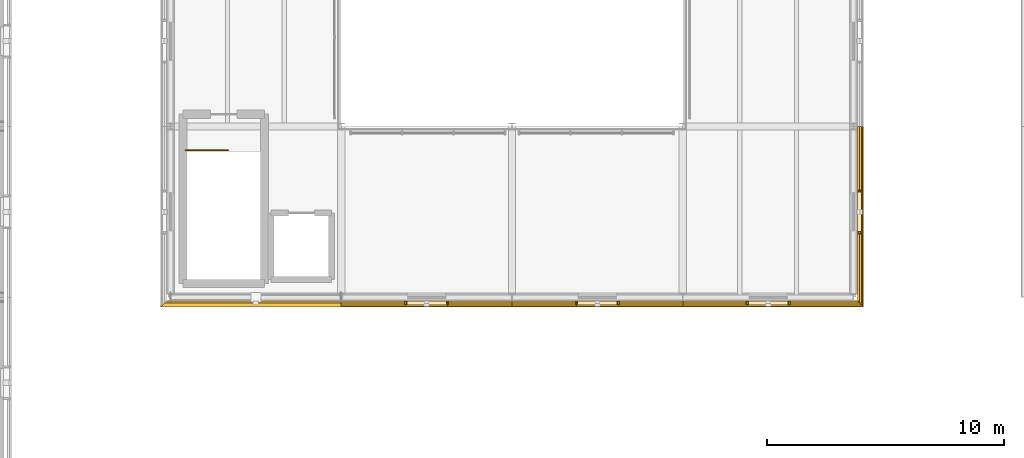
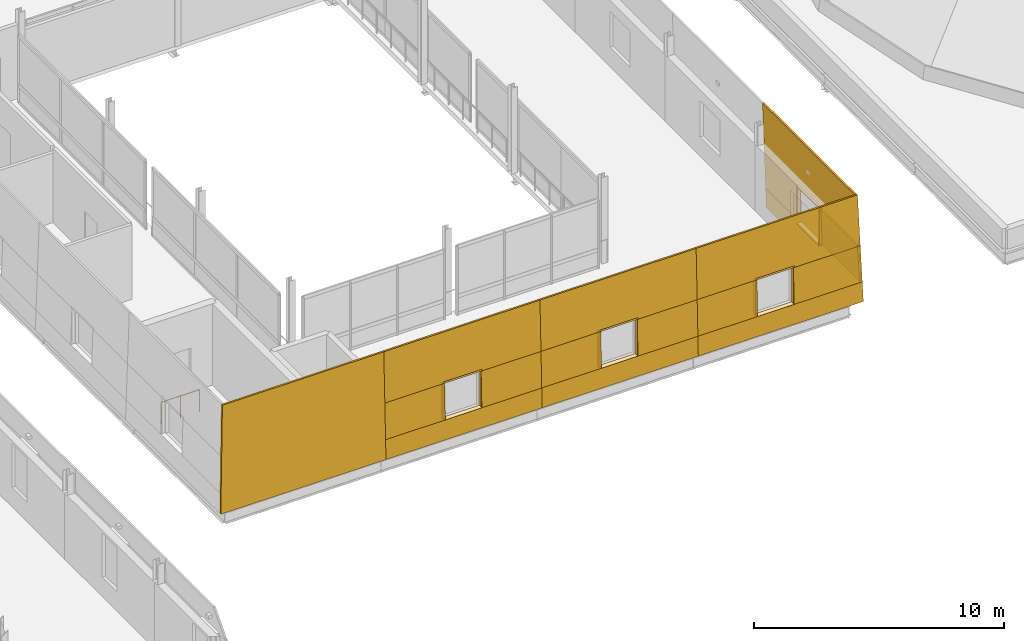
# One storey, part 59 of 66: 33 coverings, 1 railing.
"""IFC4 building model written with IfcOpenShell, lengths in metres."""

import ifcopenshell
import ifcopenshell.guid

model = None  # the IFC model being written
_history = None  # IfcOwnerHistory: only IFC2X3 demands one
_inside = {}  # id of a spatial element -> (the spatial element, [elements in it])
_under = {}  # id of a project, library or spatial element -> (it, [spatial elements below it])
_declared = {}  # id of a project -> (the project, [libraries it declares])
_typed = {}  # id of a type object -> (the type object, [elements of that type])
_made_of = {}  # id of a material, layer set ... -> (it, [elements and type objects made of it])


def new_model(schema):
    """Start an empty IFC model of exactly this schema.

    Asked for "IFC4X3", IfcOpenShell would pick the latest addendum, in which some entities
    have other attributes; the version numbers below select the first issue.
    IFC2X3 requires an IfcOwnerHistory on every rooted entity: one is made here for all.
    """
    global model, _history
    if schema == "IFC4X3":
        model = ifcopenshell.file(schema_version=(4, 3, 0, 0))
    else:
        model = ifcopenshell.file(schema=schema)
    _inside.clear()
    _under.clear()
    _declared.clear()
    _typed.clear()
    _made_of.clear()
    _history = None
    if model.schema == "IFC2X3":
        org = make("IfcOrganization", Name="unknown")
        user = make(
            "IfcPersonAndOrganization",
            ThePerson=make("IfcPerson", FamilyName="unknown"),
            TheOrganization=org,
        )
        app = make(
            "IfcApplication",
            ApplicationDeveloper=org,
            Version="unknown",
            ApplicationFullName="unknown",
            ApplicationIdentifier="unknown",
        )
        _history = make(
            "IfcOwnerHistory",
            OwningUser=user,
            OwningApplication=app,
            ChangeAction="ADDED",
            CreationDate=0,
        )
    return model


def make(cls, **values):
    """One entity of the class cls with the attributes given. An attribute that is None is left unset."""
    return model.create_entity(
        cls, **{name: value for name, value in values.items() if value is not None}
    )


def rooted(cls, **values):
    """An entity with a GlobalId (a new one), such as an element, a storey or a relation."""
    return make(cls, GlobalId=ifcopenshell.guid.new(), OwnerHistory=_history, **values)


def si_unit(unit_type, name, prefix=None):
    """IfcSIUnit, for example si_unit("LENGTHUNIT", "METRE", prefix="MILLI")."""
    return make("IfcSIUnit", UnitType=unit_type, Prefix=prefix, Name=name)


def assignment(units):
    """IfcUnitAssignment: the units of a project."""
    return None if units is None else make("IfcUnitAssignment", Units=units)


def point(xyz):
    """IfcCartesianPoint."""
    return None if xyz is None else make("IfcCartesianPoint", Coordinates=xyz)


def direction(xyz):
    """IfcDirection."""
    return None if xyz is None else make("IfcDirection", DirectionRatios=xyz)


def frame(location, z_axis=None, x_axis=None):
    """IfcAxis2Placement3D, a coordinate frame: its origin and axes. An axis left out is left unset."""
    return make(
        "IfcAxis2Placement3D",
        Location=point(location),
        Axis=direction(z_axis),
        RefDirection=direction(x_axis),
    )


def frame_2d(location, x_axis=None):
    """IfcAxis2Placement2D, a coordinate frame in the plane: its origin and x axis."""
    return make(
        "IfcAxis2Placement2D", Location=point(location), RefDirection=direction(x_axis)
    )


def origin():
    """The frame at (0, 0, 0) with its axes left unset."""
    return frame((0.0, 0.0, 0.0))


def origin_2d():
    """The frame at (0, 0) in the plane with its x axis left unset."""
    return frame_2d((0.0, 0.0))


def place(relative_to, where):
    """IfcLocalPlacement: puts the frame where relative to a parent placement (None: the world)."""
    return make(
        "IfcLocalPlacement", PlacementRelTo=relative_to, RelativePlacement=where
    )


def context(
    kind, dimensions, precision=None, world=None, true_north=None, identifier=None
):
    """IfcGeometricRepresentationContext, for example the 3D "Model" context."""
    return make(
        "IfcGeometricRepresentationContext",
        ContextIdentifier=identifier,
        ContextType=kind,
        CoordinateSpaceDimension=dimensions,
        Precision=precision,
        WorldCoordinateSystem=world,
        TrueNorth=true_north,
    )


def subcontext(parent, identifier, kind, view, scale=None):
    """IfcGeometricRepresentationSubContext, for example "Body" below "Model"."""
    return make(
        "IfcGeometricRepresentationSubContext",
        ContextIdentifier=identifier,
        ContextType=kind,
        ParentContext=parent,
        TargetScale=scale,
        TargetView=view,
    )


def project(units=None, contexts=None):
    """IfcProject with its units and contexts."""
    return rooted(
        "IfcProject",
        Name="project",
        RepresentationContexts=contexts,
        UnitsInContext=assignment(units),
    )


def spatial(cls, under=None, at=None, **own):
    """A site, building, storey or space (cls), placed at a placement, below another one or the project."""
    s = rooted(cls, ObjectPlacement=at, **own)
    if under is not None:
        _under.setdefault(under.id(), (under, []))[1].append(s)
    return s


def polyline(points):
    """IfcPolyline through the points."""
    return make("IfcPolyline", Points=[point(p) for p in points])


def profile(cls, at=None, kind="AREA", **sizes):
    """A parametric profile (cls). Its sizes go by their IFC names, for example OverallWidth=200.0."""
    return make(cls, ProfileType=kind, Position=at, **sizes)


def circle(**sizes):
    """IfcCircleProfileDef."""
    return profile("IfcCircleProfileDef", **sizes)


def outline(outer, holes=None, kind="AREA"):
    """IfcArbitraryClosedProfileDef: a profile drawn as a closed curve; with holes, ...WithVoids."""
    if holes is None:
        return make("IfcArbitraryClosedProfileDef", ProfileType=kind, OuterCurve=outer)
    return make(
        "IfcArbitraryProfileDefWithVoids",
        ProfileType=kind,
        OuterCurve=outer,
        InnerCurves=holes,
    )


def extrude(swept, where, along, depth):
    """IfcExtrudedAreaSolid: the profile swept, set in the frame where, extruded along a direction by depth."""
    return make(
        "IfcExtrudedAreaSolid",
        SweptArea=swept,
        Position=where,
        ExtrudedDirection=direction(along),
        Depth=depth,
    )


def shape(context_of_items, identifier, shape_type, items):
    """IfcShapeRepresentation: the items that make up one representation, for example the "Body"."""
    return make(
        "IfcShapeRepresentation",
        ContextOfItems=context_of_items,
        RepresentationIdentifier=identifier,
        RepresentationType=shape_type,
        Items=items,
    )


def material(Name=None, Category=None):
    """IfcMaterial."""
    return make("IfcMaterial", Name=Name, Category=Category)


def layer(
    of_material, thickness, ventilated=None, Name=None, Category=None, Priority=None
):
    """IfcMaterialLayer: one layer of a wall or slab, of a material (None: an air gap)."""
    return make(
        "IfcMaterialLayer",
        Material=of_material,
        LayerThickness=thickness,
        IsVentilated=ventilated,
        Name=Name,
        Category=Category,
        Priority=Priority,
    )


def layer_set(layers, Name=None):
    """IfcMaterialLayerSet."""
    return make("IfcMaterialLayerSet", MaterialLayers=layers, LayerSetName=Name)


def made_of(thing, what):
    """Note that an element or type object is made of a material, layer set ...; save() writes the relation."""
    if what is not None:
        _made_of.setdefault(what.id(), (what, []))[1].append(thing)
    return thing


def type_object(cls, material=None, **own):
    """A type object (cls), such as IfcWallType, which elements share."""
    return made_of(rooted(cls, **own), material)


def element(
    cls,
    number,
    at=None,
    inside=None,
    cuts=None,
    type_object=None,
    material=None,
    context=None,
    identifier="Body",
    shape_type=None,
    held_by="IfcProductDefinitionShape",
    body=None,
    shapes=None,
    **own,
):
    """One element of the class cls, such as IfcWall. Its Tag is "e" and its number.

    at: its placement. inside: the storey or other place that contains it. cuts: it is an
    opening in that element (IfcRelVoidsElement). A single representation is given by context,
    identifier, shape_type and body (its items); several are given by shapes. held_by: the class
    of the entity that holds the representations. save() writes the other relations.
    """
    e = rooted(cls, Tag="e%d" % number, ObjectPlacement=at, **own)
    if body is not None:
        shapes = [shape(context, identifier, shape_type, body)]
    if shapes is not None:
        e.Representation = make(held_by, Representations=shapes)
    if inside is not None:
        _inside.setdefault(inside.id(), (inside, []))[1].append(e)
    if cuts is not None:
        rooted(
            "IfcRelVoidsElement", RelatingBuildingElement=cuts, RelatedOpeningElement=e
        )
    if type_object is not None:
        _typed.setdefault(type_object.id(), (type_object, []))[1].append(e)
    return made_of(e, material)


def aggregate(whole, parts):
    """IfcRelAggregates: a whole, such as a stair, and the parts it consists of."""
    return rooted("IfcRelAggregates", RelatingObject=whole, RelatedObjects=parts)


def save(model, path):
    """Write the relations noted so far, then the file.

    IfcRelAggregates (storeys below a building ...), IfcRelContainedInSpatialStructure (elements
    in a storey), IfcRelDefinesByType, IfcRelAssociatesMaterial and IfcRelDeclares: one each for
    every whole, place, type object, material and project.
    """
    for whole, parts in _under.values():
        aggregate(whole, parts)
    for where, things in _inside.values():
        rooted(
            "IfcRelContainedInSpatialStructure",
            RelatedElements=things,
            RelatingStructure=where,
        )
    for kind, things in _typed.values():
        rooted("IfcRelDefinesByType", RelatedObjects=things, RelatingType=kind)
    for what, things in _made_of.values():
        rooted("IfcRelAssociatesMaterial", RelatedObjects=things, RelatingMaterial=what)
    for by, libraries in _declared.values():
        rooted("IfcRelDeclares", RelatingContext=by, RelatedDefinitions=libraries)
    model.write(path)


model = new_model("IFC4")

# Units and contexts
model_context = context("Model", 3, precision=1e-05, world=origin(), true_north=direction((0.0, 1.0)))
body_context = subcontext(model_context, "Body", "Model", "MODEL_VIEW")
ifc_project = project(units=[si_unit("LENGTHUNIT", "METRE"), si_unit("AREAUNIT", "SQUARE_METRE"), si_unit("VOLUMEUNIT", "CUBIC_METRE"), si_unit("PLANEANGLEUNIT", "RADIAN"), si_unit("MASSUNIT", "GRAM", prefix="KILO")], contexts=[model_context])

# Site, building, storey
site_placement = place(None, origin())
site = spatial("IfcSite", under=ifc_project, at=site_placement, CompositionType="ELEMENT")
building_placement = place(site_placement, origin())
building = spatial("IfcBuilding", under=site, at=building_placement, Name="Narikvali Park Central Library", CompositionType="ELEMENT")
storey_placement = place(building_placement, frame((0.0, 0.0, 18.60009765625)))
storey = spatial("IfcBuildingStorey", under=building, at=storey_placement, Name="L04", CompositionType="ELEMENT", Elevation=18.60009765625)

# Coverings
ifc_material_1 = material(Name="White Honed Limestone Cladding", Category="masonry")
ifc_layer_1 = layer(ifc_material_1, 0.0849609375, Name="White Honed Limestone Cladding")
ifc_layer_set_1 = layer_set([ifc_layer_1], Name="White Honed Limestone Cladding")
covering_type_1 = type_object("IfcCoveringType", Name="Battered White Limestone Facade Cladding Panel", PredefinedType="CLADDING", material=ifc_layer_set_1)
covering_1_placement = place(storey_placement, frame((28.386474609375, 57.1865234375, 0.0), z_axis=(0.0, -0.99943242735, 0.03368713643), x_axis=(1.0, 0.0, 0.0)))
element("IfcCovering", 1, at=covering_1_placement, inside=storey, type_object=covering_type_1, Name="V4 L04 S Battered Limestone Panel B01", PredefinedType="CLADDING", context=body_context, shape_type="SweptSolid", body=[
    extrude(outline(polyline([(0.0, 0.0), (7.613525390625, 0.0), (7.613525390625, 5.152826947394337), (0.173583984375, 5.152826947394337), (0.0, 0.0)])), origin(), (0.0, 0.0, -1.0), 0.0849609375),
])
covering_2_placement = place(storey_placement, frame((36.0, 57.1865234375, 0.0), z_axis=(0.0, -0.999433733171, 0.033648372924), x_axis=(1.0, 0.0, 0.0)))
element("IfcCovering", 2, at=covering_2_placement, inside=storey, type_object=covering_type_1, Name="V4 L04 S Battered Limestone Spandrel B02", PredefinedType="CLADDING", context=body_context, shape_type="SweptSolid", body=[
    extrude(outline(polyline([(0.0, 0.0), (7.199951171875, 0.0), (7.199951171875, 0.950489402495197), (0.0, 0.950489402495197), (0.0, 0.0)])), origin(), (0.0, 0.0, -1.0), 0.0849609375),
])
covering_3_placement = place(storey_placement, frame((36.0, 57.277587890625, 2.699951171875), z_axis=(0.0, -0.999433239835, 0.033663022926), x_axis=(1.0, 0.0, 0.0)))
element("IfcCovering", 3, at=covering_3_placement, inside=storey, type_object=covering_type_1, Name="V4 L04 S Battered Limestone Lintel B02", PredefinedType="CLADDING", context=body_context, shape_type="SweptSolid", body=[
    extrude(outline(polyline([(0.0, 0.0), (7.199951171875, 0.0), (7.199951171875, 2.451340494017387), (0.0, 2.451340494017387), (0.0, 0.0)])), origin(), (0.0, 0.0, -1.0), 0.0849609375),
])
for number, where, z_axis, x_axis, name in (
    (4, (36.0, 57.218505859375, 0.949951171875), (0.0, -0.999430578744, 0.033741936392), (1.0, 0.0, 0.0), "V4 L04 S Battered Limestone Jamb Pier L B02"),
    (5, (40.43994140625, 57.218505859375, 0.949951171875), (0.0, -0.999430578744, 0.033741936392), (1.0, 0.0, 0.0), "V4 L04 S Battered Limestone Jamb Pier R B02"),
):
    element("IfcCovering", number, at=place(storey_placement, frame(where, z_axis=z_axis, x_axis=x_axis)), inside=storey, type_object=covering_type_1, Name=name, PredefinedType="CLADDING", context=body_context, shape_type="SweptSolid", body=[
        extrude(outline(polyline([(0.0, 0.0), (2.760009765625, 0.0), (2.760009765625, 1.750997054942305), (0.0, 1.750997054942305), (0.0, 0.0)])), origin(), (0.0, 0.0, -1.0), 0.0849609375),
    ])
covering_4_placement = place(storey_placement, frame((43.199951171875, 57.1865234375, 0.0), z_axis=(0.0, -0.999433733171, 0.033648372924), x_axis=(1.0, 0.0, 0.0)))
element("IfcCovering", 6, at=covering_4_placement, inside=storey, type_object=covering_type_1, Name="V4 L04 S Battered Limestone Spandrel B03", PredefinedType="CLADDING", context=body_context, shape_type="SweptSolid", body=[
    extrude(outline(polyline([(0.0, 0.0), (7.199951171875, 0.0), (7.199951171875, 0.950489402495197), (0.0, 0.950489402495197), (0.0, 0.0)])), origin(), (0.0, 0.0, -1.0), 0.0849609375),
])
covering_5_placement = place(storey_placement, frame((43.199951171875, 57.277587890625, 2.699951171875), z_axis=(0.0, -0.999433239835, 0.033663022926), x_axis=(1.0, 0.0, 0.0)))
element("IfcCovering", 7, at=covering_5_placement, inside=storey, type_object=covering_type_1, Name="V4 L04 S Battered Limestone Lintel B03", PredefinedType="CLADDING", context=body_context, shape_type="SweptSolid", body=[
    extrude(outline(polyline([(0.0, 0.0), (7.199951171875, 0.0), (7.199951171875, 2.451340494017387), (0.0, 2.451340494017387), (0.0, 0.0)])), origin(), (0.0, 0.0, -1.0), 0.0849609375),
])
for number, where, z_axis, x_axis, name in (
    (8, (43.199951171875, 57.218505859375, 0.949951171875), (0.0, -0.999430578744, 0.033741936392), (1.0, 0.0, 0.0), "V4 L04 S Battered Limestone Jamb Pier L B03"),
    (9, (47.639892578125, 57.218505859375, 0.949951171875), (0.0, -0.999430578744, 0.033741936392), (1.0, 0.0, 0.0), "V4 L04 S Battered Limestone Jamb Pier R B03"),
):
    element("IfcCovering", number, at=place(storey_placement, frame(where, z_axis=z_axis, x_axis=x_axis)), inside=storey, type_object=covering_type_1, Name=name, PredefinedType="CLADDING", context=body_context, shape_type="SweptSolid", body=[
        extrude(outline(polyline([(0.0, 0.0), (2.760009765625, 0.0), (2.760009765625, 1.750997054942305), (0.0, 1.750997054942305), (0.0, 0.0)])), origin(), (0.0, 0.0, -1.0), 0.0849609375),
    ])
covering_6_placement = place(storey_placement, frame((50.39990234375, 57.1865234375, 0.0), z_axis=(0.0, -0.999433733171, 0.033648372924), x_axis=(1.0, 0.0, 0.0)))
element("IfcCovering", 10, at=covering_6_placement, inside=storey, type_object=covering_type_1, Name="V4 L04 S Battered Limestone Spandrel B04", PredefinedType="CLADDING", context=body_context, shape_type="SweptSolid", body=[
    extrude(outline(polyline([(0.0, 0.0), (7.613525390625, 0.0), (7.58154296875, 0.9504894024951969), (0.0, 0.9504894024951969), (0.0, 0.0)])), origin(), (0.0, 0.0, -1.0), 0.0849609375),
])
covering_7_placement = place(storey_placement, frame((50.39990234375, 57.277587890625, 2.699951171875), z_axis=(0.0, -0.999433239835, 0.033663022926), x_axis=(1.0, 0.0, 0.0)))
element("IfcCovering", 11, at=covering_7_placement, inside=storey, type_object=covering_type_1, Name="V4 L04 S Battered Limestone Lintel B04", PredefinedType="CLADDING", context=body_context, shape_type="SweptSolid", body=[
    extrude(outline(polyline([(0.0, 0.0), (7.522705078125, 0.0), (7.440185546875, 2.451340494017387), (0.0, 2.451340494017387), (0.0, 0.0)])), origin(), (0.0, 0.0, -1.0), 0.0849609375),
])
covering_8_placement = place(storey_placement, frame((50.39990234375, 57.218505859375, 0.949951171875), z_axis=(0.0, -0.999430578744, 0.033741936392), x_axis=(1.0, 0.0, 0.0)))
element("IfcCovering", 12, at=covering_8_placement, inside=storey, type_object=covering_type_1, Name="V4 L04 S Battered Limestone Jamb Pier L B04", PredefinedType="CLADDING", context=body_context, shape_type="SweptSolid", body=[
    extrude(outline(polyline([(0.0, 0.0), (2.760009765625, 0.0), (2.760009765625, 1.750997054942305), (0.0, 1.750997054942305), (0.0, 0.0)])), origin(), (0.0, 0.0, -1.0), 0.0849609375),
])
covering_9_placement = place(storey_placement, frame((54.840087890625, 57.218505859375, 0.949951171875), z_axis=(0.0, -0.999430578744, 0.033741936392), x_axis=(1.0, 0.0, 0.0)))
element("IfcCovering", 13, at=covering_9_placement, inside=storey, type_object=covering_type_1, Name="V4 L04 S Battered Limestone Jamb Pier R B04", PredefinedType="CLADDING", context=body_context, shape_type="SweptSolid", body=[
    extrude(outline(polyline([(0.0, 0.0), (3.141357421875, 0.0), (3.08251953125, 1.750997054942305), (0.0, 1.750997054942305), (0.0, 0.0)])), origin(), (0.0, 0.0, -1.0), 0.0849609375),
])
covering_10_placement = place(storey_placement, frame((58.013427734375, 57.271484375, 0.0), z_axis=(0.999433733171, 0.0, 0.033648372924), x_axis=(0.0, 1.0, 0.0)))
element("IfcCovering", 14, at=covering_10_placement, inside=storey, type_object=covering_type_1, Name="V4 L04 E Battered Limestone Spandrel B01", PredefinedType="CLADDING", context=body_context, shape_type="SweptSolid", body=[
    extrude(outline(polyline([(0.0, 0.0), (7.528564453125, 0.0), (7.528564453125, 0.9504894024951969), (0.031982421875, 0.9504894024951969), (0.0, 0.0)])), origin(), (0.0, 0.0, -1.0), 0.0849609375),
])
covering_11_placement = place(storey_placement, frame((57.922607421875, 57.362548828125, 2.699951171875), z_axis=(0.999433239835, 0.0, 0.033663022926), x_axis=(0.0, 1.0, 0.0)))
element("IfcCovering", 15, at=covering_11_placement, inside=storey, type_object=covering_type_1, Name="V4 L04 E Battered Limestone Lintel B01", PredefinedType="CLADDING", context=body_context, shape_type="SweptSolid", body=[
    extrude(outline(polyline([(0.0, 0.0), (7.4375, 0.0), (7.4375, 2.4513404940173866), (0.08251953125, 2.4513404940173866), (0.0, 0.0)])), origin(), (0.0, 0.0, -1.0), 0.0849609375),
])
covering_12_placement = place(storey_placement, frame((57.9814453125, 57.303466796875, 0.949951171875), z_axis=(0.999435271004, 0.0, 0.033602664664), x_axis=(0.0, 1.0, 0.0)))
element("IfcCovering", 16, at=covering_12_placement, inside=storey, type_object=covering_type_1, Name="V4 L04 E Battered Limestone Jamb Pier L B01", PredefinedType="CLADDING", context=body_context, shape_type="SweptSolid", body=[
    extrude(outline(polyline([(0.0, 0.0), (3.056640625, 0.0), (3.056640625, 1.7509888341657693), (0.05908203125, 1.7509888341657693), (0.0, 0.0)])), origin(), (0.0, 0.0, -1.0), 0.0849609375),
])
covering_13_placement = place(storey_placement, frame((57.9814453125, 62.0400390625, 0.949951171875), z_axis=(0.999435271004, 0.0, 0.033602664664), x_axis=(0.0, 1.0, 0.0)))
element("IfcCovering", 17, at=covering_13_placement, inside=storey, type_object=covering_type_1, Name="V4 L04 E Battered Limestone Jamb Pier R B01", PredefinedType="CLADDING", context=body_context, shape_type="SweptSolid", body=[
    extrude(outline(polyline([(0.0, 0.0), (2.760009765625, 0.0), (2.760009765625, 1.7509888341657693), (0.0, 1.7509888341657693), (0.0, 0.0)])), origin(), (0.0, 0.0, -1.0), 0.0849609375),
])
ifc_layer_2 = layer(ifc_material_1, 0.080078125, Name="White Honed Limestone Cladding")
ifc_layer_set_2 = layer_set([ifc_layer_2], Name="White Honed Limestone Cladding")
covering_type_2 = type_object("IfcCoveringType", Name="Deep Carved White Limestone Window Reveal", PredefinedType="CLADDING", material=ifc_layer_set_2)
covering_14_placement = place(storey_placement, frame((0.0, 0.0, 2.699951171875)))
element("IfcCovering", 18, at=covering_14_placement, inside=storey, type_object=covering_type_2, Name="Deep Stone Reveal Head V4-RVL-L04-S-B02", PredefinedType="CLADDING", context=body_context, shape_type="SweptSolid", body=[
    extrude(outline(polyline([(38.719970703125, 57.43505859375), (40.47998046875, 57.43505859375), (40.47998046875, 57.277587890625), (38.719970703125, 57.277587890625), (38.719970703125, 57.43505859375)])), origin(), (0.0, 0.0, 1.0), 0.079833984375),
])
covering_15_placement = place(storey_placement, frame((0.0, 0.0, 0.869873046875)))
element("IfcCovering", 19, at=covering_15_placement, inside=storey, type_object=covering_type_2, Name="Deep Stone Reveal Sill V4-RVL-L04-S-B02", PredefinedType="CLADDING", context=body_context, shape_type="SweptSolid", body=[
    extrude(outline(polyline([(38.719970703125, 57.43505859375), (40.47998046875, 57.43505859375), (40.47998046875, 57.218505859375), (38.719970703125, 57.218505859375), (38.719970703125, 57.43505859375)])), origin(), (0.0, 0.0, 1.0), 0.080078125),
])
covering_16_placement = place(storey_placement, frame((0.0, 0.0, 0.949951171875)))
element("IfcCovering", 20, at=covering_16_placement, inside=storey, type_object=covering_type_2, Name="Deep Stone Reveal Jamb L V4-RVL-L04-S-B02", PredefinedType="CLADDING", context=body_context, shape_type="SweptSolid", body=[
    extrude(outline(polyline([(38.679931640625, 57.43505859375), (38.760009765625, 57.43505859375), (38.760009765625, 57.277587890625), (38.679931640625, 57.277587890625), (38.679931640625, 57.43505859375)])), origin(), (0.0, 0.0, 1.0), 1.75),
])
covering_17_placement = place(storey_placement, frame((0.0, 0.0, 0.949951171875)))
element("IfcCovering", 21, at=covering_17_placement, inside=storey, type_object=covering_type_2, Name="Deep Stone Reveal Jamb R V4-RVL-L04-S-B02", PredefinedType="CLADDING", context=body_context, shape_type="SweptSolid", body=[
    extrude(outline(polyline([(40.43994140625, 57.43505859375), (40.52001953125, 57.43505859375), (40.52001953125, 57.277587890625), (40.43994140625, 57.277587890625), (40.43994140625, 57.43505859375)])), origin(), (0.0, 0.0, 1.0), 1.75),
])
covering_18_placement = place(storey_placement, frame((0.0, 0.0, 2.699951171875)))
element("IfcCovering", 22, at=covering_18_placement, inside=storey, type_object=covering_type_2, Name="Deep Stone Reveal Head V4-RVL-L04-S-B03", PredefinedType="CLADDING", context=body_context, shape_type="SweptSolid", body=[
    extrude(outline(polyline([(45.919921875, 57.43505859375), (47.679931640625, 57.43505859375), (47.679931640625, 57.277587890625), (45.919921875, 57.277587890625), (45.919921875, 57.43505859375)])), origin(), (0.0, 0.0, 1.0), 0.079833984375),
])
covering_19_placement = place(storey_placement, frame((0.0, 0.0, 0.869873046875)))
element("IfcCovering", 23, at=covering_19_placement, inside=storey, type_object=covering_type_2, Name="Deep Stone Reveal Sill V4-RVL-L04-S-B03", PredefinedType="CLADDING", context=body_context, shape_type="SweptSolid", body=[
    extrude(outline(polyline([(45.919921875, 57.43505859375), (47.679931640625, 57.43505859375), (47.679931640625, 57.218505859375), (45.919921875, 57.218505859375), (45.919921875, 57.43505859375)])), origin(), (0.0, 0.0, 1.0), 0.080078125),
])
covering_20_placement = place(storey_placement, frame((0.0, 0.0, 0.949951171875)))
element("IfcCovering", 24, at=covering_20_placement, inside=storey, type_object=covering_type_2, Name="Deep Stone Reveal Jamb L V4-RVL-L04-S-B03", PredefinedType="CLADDING", context=body_context, shape_type="SweptSolid", body=[
    extrude(outline(polyline([(45.8798828125, 57.43505859375), (45.9599609375, 57.43505859375), (45.9599609375, 57.277587890625), (45.8798828125, 57.277587890625), (45.8798828125, 57.43505859375)])), origin(), (0.0, 0.0, 1.0), 1.75),
])
covering_21_placement = place(storey_placement, frame((0.0, 0.0, 0.949951171875)))
element("IfcCovering", 25, at=covering_21_placement, inside=storey, type_object=covering_type_2, Name="Deep Stone Reveal Jamb R V4-RVL-L04-S-B03", PredefinedType="CLADDING", context=body_context, shape_type="SweptSolid", body=[
    extrude(outline(polyline([(47.639892578125, 57.43505859375), (47.719970703125, 57.43505859375), (47.719970703125, 57.277587890625), (47.639892578125, 57.277587890625), (47.639892578125, 57.43505859375)])), origin(), (0.0, 0.0, 1.0), 1.75),
])
covering_22_placement = place(storey_placement, frame((0.0, 0.0, 2.699951171875)))
element("IfcCovering", 26, at=covering_22_placement, inside=storey, type_object=covering_type_2, Name="Deep Stone Reveal Head V4-RVL-L04-S-B04", PredefinedType="CLADDING", context=body_context, shape_type="SweptSolid", body=[
    extrude(outline(polyline([(53.1201171875, 57.43505859375), (54.8798828125, 57.43505859375), (54.8798828125, 57.277587890625), (53.1201171875, 57.277587890625), (53.1201171875, 57.43505859375)])), origin(), (0.0, 0.0, 1.0), 0.079833984375),
])
covering_23_placement = place(storey_placement, frame((0.0, 0.0, 0.869873046875)))
element("IfcCovering", 27, at=covering_23_placement, inside=storey, type_object=covering_type_2, Name="Deep Stone Reveal Sill V4-RVL-L04-S-B04", PredefinedType="CLADDING", context=body_context, shape_type="SweptSolid", body=[
    extrude(outline(polyline([(53.1201171875, 57.43505859375), (54.8798828125, 57.43505859375), (54.8798828125, 57.218505859375), (53.1201171875, 57.218505859375), (53.1201171875, 57.43505859375)])), origin(), (0.0, 0.0, 1.0), 0.080078125),
])
covering_24_placement = place(storey_placement, frame((0.0, 0.0, 0.949951171875)))
element("IfcCovering", 28, at=covering_24_placement, inside=storey, type_object=covering_type_2, Name="Deep Stone Reveal Jamb L V4-RVL-L04-S-B04", PredefinedType="CLADDING", context=body_context, shape_type="SweptSolid", body=[
    extrude(outline(polyline([(53.080078125, 57.43505859375), (53.159912109375, 57.43505859375), (53.159912109375, 57.277587890625), (53.080078125, 57.277587890625), (53.080078125, 57.43505859375)])), origin(), (0.0, 0.0, 1.0), 1.75),
])
covering_25_placement = place(storey_placement, frame((0.0, 0.0, 0.949951171875)))
element("IfcCovering", 29, at=covering_25_placement, inside=storey, type_object=covering_type_2, Name="Deep Stone Reveal Jamb R V4-RVL-L04-S-B04", PredefinedType="CLADDING", context=body_context, shape_type="SweptSolid", body=[
    extrude(outline(polyline([(54.840087890625, 57.43505859375), (54.919921875, 57.43505859375), (54.919921875, 57.277587890625), (54.840087890625, 57.277587890625), (54.840087890625, 57.43505859375)])), origin(), (0.0, 0.0, 1.0), 1.75),
])
covering_26_placement = place(storey_placement, frame((0.0, 0.0, 2.699951171875)))
element("IfcCovering", 30, at=covering_26_placement, inside=storey, type_object=covering_type_2, Name="Deep Stone Reveal Head V4-RVL-L04-E-B01", PredefinedType="CLADDING", context=body_context, shape_type="SweptSolid", body=[
    extrude(outline(polyline([(57.764892578125, 60.320068359375), (57.764892578125, 62.080078125), (57.922607421875, 62.080078125), (57.922607421875, 60.320068359375), (57.764892578125, 60.320068359375)])), origin(), (0.0, 0.0, 1.0), 0.079833984375),
])
covering_27_placement = place(storey_placement, frame((0.0, 0.0, 0.869873046875)))
element("IfcCovering", 31, at=covering_27_placement, inside=storey, type_object=covering_type_2, Name="Deep Stone Reveal Sill V4-RVL-L04-E-B01", PredefinedType="CLADDING", context=body_context, shape_type="SweptSolid", body=[
    extrude(outline(polyline([(57.764892578125, 60.320068359375), (57.764892578125, 62.080078125), (57.9814453125, 62.080078125), (57.9814453125, 60.320068359375), (57.764892578125, 60.320068359375)])), origin(), (0.0, 0.0, 1.0), 0.080078125),
])
covering_28_placement = place(storey_placement, frame((0.0, 0.0, 0.949951171875)))
element("IfcCovering", 32, at=covering_28_placement, inside=storey, type_object=covering_type_2, Name="Deep Stone Reveal Jamb L V4-RVL-L04-E-B01", PredefinedType="CLADDING", context=body_context, shape_type="SweptSolid", body=[
    extrude(outline(polyline([(57.764892578125, 60.280029296875), (57.764892578125, 60.360107421875), (57.922607421875, 60.360107421875), (57.922607421875, 60.280029296875), (57.764892578125, 60.280029296875)])), origin(), (0.0, 0.0, 1.0), 1.75),
])
covering_29_placement = place(storey_placement, frame((0.0, 0.0, 0.949951171875)))
element("IfcCovering", 33, at=covering_29_placement, inside=storey, type_object=covering_type_2, Name="Deep Stone Reveal Jamb R V4-RVL-L04-E-B01", PredefinedType="CLADDING", context=body_context, shape_type="SweptSolid", body=[
    extrude(outline(polyline([(57.764892578125, 62.0400390625), (57.764892578125, 62.1201171875), (57.922607421875, 62.1201171875), (57.922607421875, 62.0400390625), (57.764892578125, 62.0400390625)])), origin(), (0.0, 0.0, 1.0), 1.75),
])

# Railing
ifc_material_2 = material(Name="Powder-Coated Steel S275", Category="steel")
ifc_layer_3 = layer(ifc_material_2, 0.050048828125, Name="Powder-Coated Steel S275")
ifc_layer_set_3 = layer_set([ifc_layer_3], Name="Powder-Coated Steel S275")
railing_type = type_object("IfcRailingType", Name="Stair Well Steel Guardrail 1100", PredefinedType="GUARDRAIL", material=ifc_layer_set_3)
railing_placement = place(storey_placement, frame((29.449951171875, 63.800048828125, 0.0)))
element("IfcRailing", 34, at=railing_placement, inside=storey, type_object=railing_type, Name="L04 ST-07 top well guard 1", PredefinedType="GUARDRAIL", context=body_context, shape_type="SweptSolid", body=[
    extrude(circle(Radius=0.02392578125, at=origin_2d()), frame((0.0, 0.0, 1.076171875), z_axis=(1.0, 0.0, 0.0), x_axis=(0.0, 1.0, 0.0)), (0.0, 0.0, 1.0), 1.780029296875),
    extrude(circle(Radius=0.02099609375, at=origin_2d()), origin(), (0.0, 0.0, 1.0), 1.052001953125),
    extrude(circle(Radius=0.02099609375, at=origin_2d()), frame((0.89013671875, 0.0, 0.0)), (0.0, 0.0, 1.0), 1.052001953125),
    extrude(circle(Radius=0.02099609375, at=origin_2d()), frame((1.780029296875, 0.0, 0.0)), (0.0, 0.0, 1.0), 1.052001953125),
])

save(model, "model.ifc")
